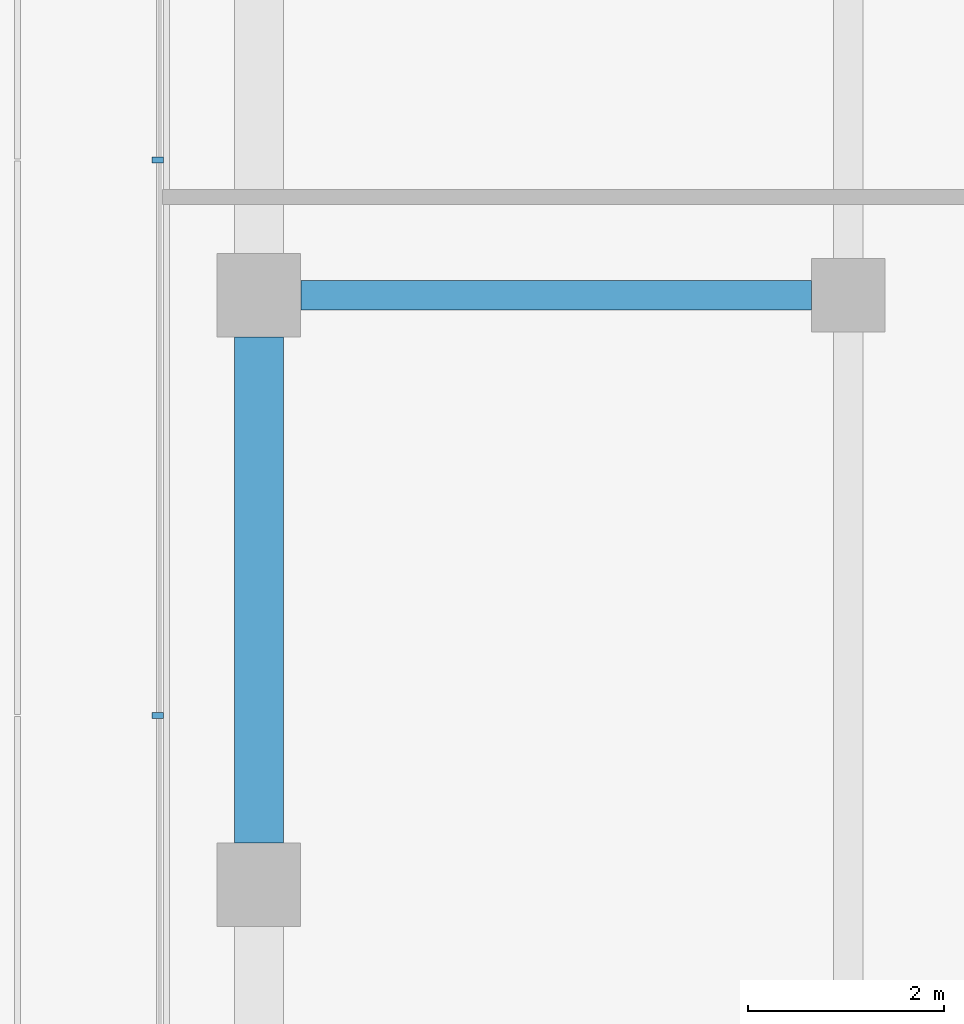
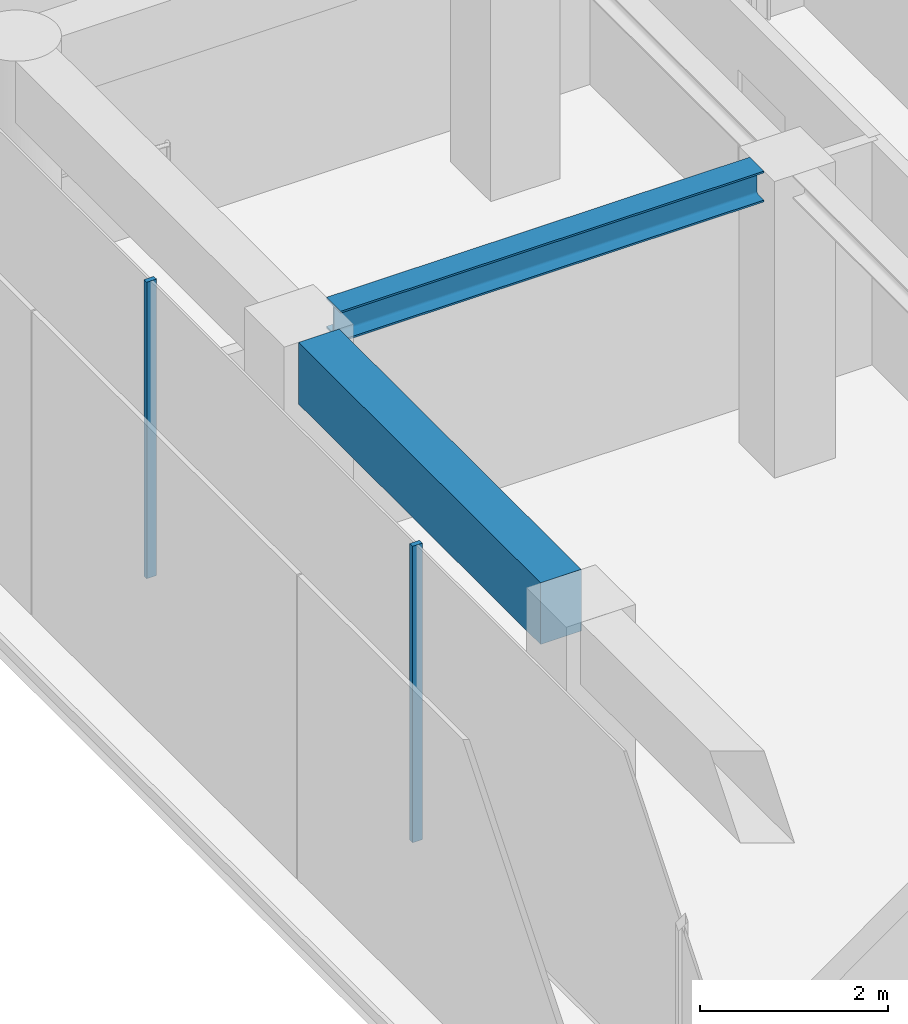
# One storey, part 11 of 25: 2 beams, 2 members, 1 element without a shape of its own.
"""IFC4 building model written with IfcOpenShell, lengths in metres."""

from ifc_helpers import new_model, si_unit, direction, frame, origin, origin_2d, place, context, subcontext, project, spatial, rectangle, i_section, extrude, material, layer, layer_set, material_profile, profile_set, type_object, element, aggregate, save


model = new_model("IFC4")

# Units and contexts
model_context = context("Model", 3, precision=1e-05, world=origin(), true_north=direction((0.0, 1.0)))
body_context = subcontext(model_context, "Body", "Model", "MODEL_VIEW")
ifc_project = project(units=[si_unit("LENGTHUNIT", "METRE"), si_unit("AREAUNIT", "SQUARE_METRE"), si_unit("VOLUMEUNIT", "CUBIC_METRE"), si_unit("PLANEANGLEUNIT", "RADIAN"), si_unit("MASSUNIT", "GRAM", prefix="KILO")], contexts=[model_context])

# Site, building, storey
site_placement = place(None, origin())
site = spatial("IfcSite", under=ifc_project, at=site_placement, CompositionType="ELEMENT")
building_placement = place(site_placement, origin())
building = spatial("IfcBuilding", under=site, at=building_placement, Name="Welwitschia Terrace Campus", CompositionType="ELEMENT")
storey_placement = place(building_placement, frame((0.0, 0.0, 264.199951171875)))
storey = spatial("IfcBuildingStorey", under=building, at=storey_placement, Name="L58", CompositionType="ELEMENT", Elevation=264.199951171875)

# Curtain wall, members
ifc_material_1 = material(Name="Bronze anodised aluminium", Category="aluminium")
ifc_layer = layer(ifc_material_1, 0.1201171875)
ifc_layer_set = layer_set([ifc_layer], Name="Bronze anodised aluminium")
curtain_wall_type = type_object("IfcCurtainWallType", Name="Curtain wall CW2 tower 6000", PredefinedType="NOTDEFINED", material=ifc_layer_set)
curtain_wall_placement = place(storey_placement, origin())
curtain_wall = element("IfcCurtainWall", 1, at=curtain_wall_placement, inside=storey, type_object=curtain_wall_type, Name="CW L58.0.0", PredefinedType="NOTDEFINED")
ifc_material_2 = material(Name="Bronze anodised aluminium", Category="aluminium")
ifc_material_profile_1 = material_profile(ifc_material_2, rectangle(XDim=0.1201171875, YDim=0.06005859375, at=origin_2d()))
ifc_profile_set_1 = profile_set([ifc_material_profile_1], Name="Bronze anodised aluminium")
member_type = type_object("IfcMemberType", Name="Mullion 60x120", PredefinedType="MULLION", material=ifc_profile_set_1)
member_1_placement = place(storey_placement, frame((-1.030029296875, 57.37646484375, 0.0), z_axis=(0.0, 0.0, 1.0), x_axis=(1.0, 0.0, 0.0)))
member_1 = element("IfcMember", 2, at=member_1_placement, type_object=member_type, Name="Mullion L58.0.0.1", PredefinedType="MULLION", context=body_context, shape_type="SweptSolid", body=[
    extrude(rectangle(XDim=0.1201171875, YDim=0.06005859375, at=origin_2d()), origin(), (0.0, 0.0, 1.0), 3.85009765625),
])
member_2_placement = place(storey_placement, frame((-1.030029296875, 51.722900390625, 0.0), z_axis=(0.0, 0.0, 1.0), x_axis=(1.0, 0.0, 0.0)))
member_2 = element("IfcMember", 3, at=member_2_placement, type_object=member_type, Name="Mullion L58.0.0.2", PredefinedType="MULLION", context=body_context, shape_type="SweptSolid", body=[
    extrude(rectangle(XDim=0.1201171875, YDim=0.06005859375, at=origin_2d()), origin(), (0.0, 0.0, 1.0), 3.85009765625),
])
aggregate(curtain_wall, [member_1, member_2])

# Beams
ifc_material_3 = material(Name="Steel S355", Category="steel")
ifc_material_profile_2 = material_profile(ifc_material_3, i_section(OverallWidth=0.300048828125, OverallDepth=0.39990234375, WebThickness=0.013427734375, FlangeThickness=0.02392578125, FilletRadius=0.027099609375, at=origin_2d()))
ifc_profile_set_2 = profile_set([ifc_material_profile_2], Name="Steel S355")
beam_type_1 = type_object("IfcBeamType", Name="Primary beam HE 400 B", PredefinedType="BEAM", material=ifc_profile_set_2)
beam_1_placement = place(storey_placement, frame((0.425537109375, 56.0, 3.650146484375), z_axis=(1.0, 0.0, 0.0), x_axis=(0.0, 1.0, 0.0)))
element("IfcBeam", 4, at=beam_1_placement, inside=storey, type_object=beam_type_1, Name="Primary beam PB6", PredefinedType="BEAM", context=body_context, shape_type="SweptSolid", body=[
    extrude(i_section(OverallWidth=0.300048828125, OverallDepth=0.39990234375, WebThickness=0.013427734375, FlangeThickness=0.02392578125, FilletRadius=0.027099609375, at=origin_2d()), origin(), (0.0, 0.0, 1.0), 5.198974609375),
])
ifc_material_4 = material(Name="Concrete C50/60", Category="concrete")
ifc_material_profile_3 = material_profile(ifc_material_4, rectangle(XDim=0.5, YDim=0.800048828125, at=origin_2d()))
ifc_profile_set_3 = profile_set([ifc_material_profile_3], Name="Concrete C50/60")
beam_type_2 = type_object("IfcBeamType", Name="Ring spandrel 500x800", PredefinedType="SPANDREL", material=ifc_profile_set_3)
beam_2_placement = place(storey_placement, frame((0.0, 55.574462890625, 3.449951171875), z_axis=(0.0, -1.0, 0.0), x_axis=(1.0, 0.0, 0.0)))
element("IfcBeam", 5, at=beam_2_placement, inside=storey, type_object=beam_type_2, Name="Spandrel SP4", PredefinedType="SPANDREL", context=body_context, shape_type="SweptSolid", body=[
    extrude(rectangle(XDim=0.5, YDim=0.800048828125, at=origin_2d()), origin(), (0.0, 0.0, 1.0), 5.14892578125),
])

save(model, "model.ifc")
